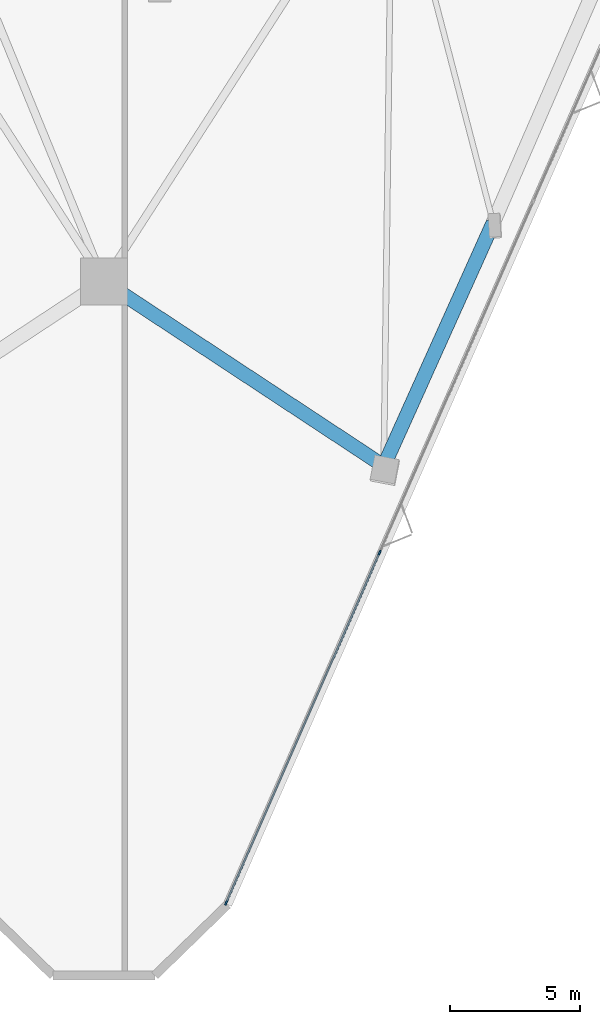
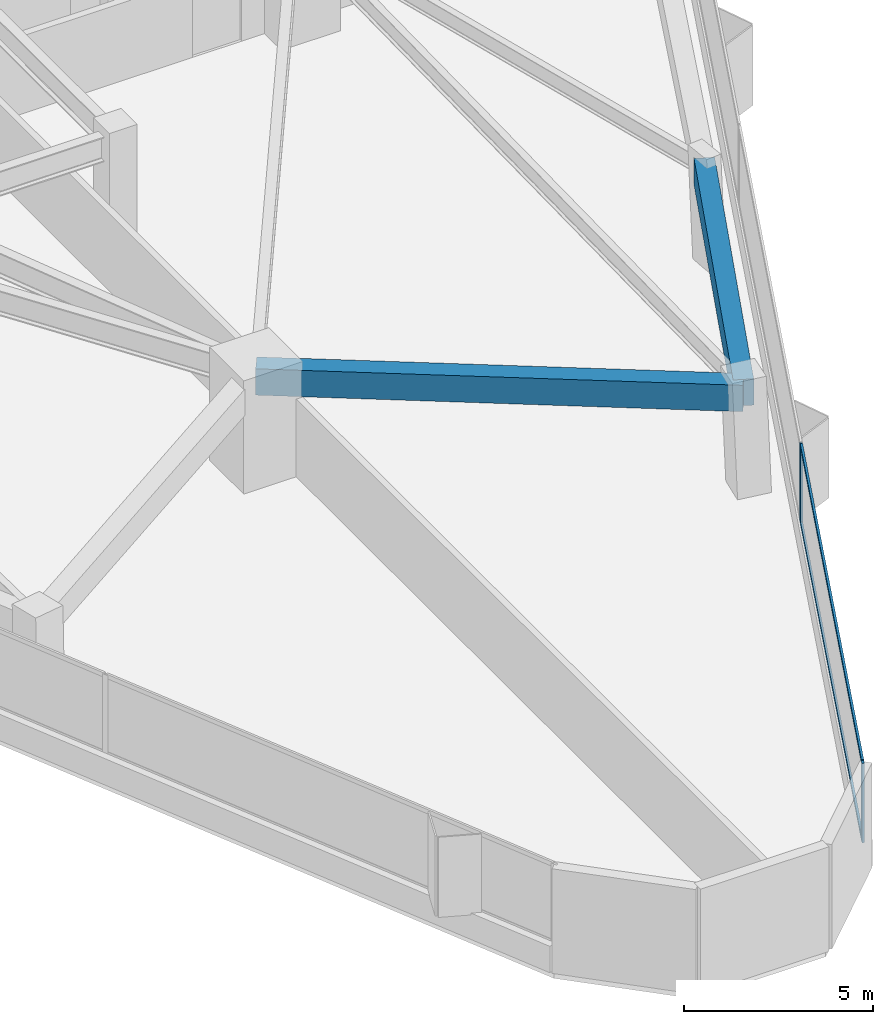
# One storey, part 4 of 20: 4 members, 2 beams, 1 element without a shape of its own.
"""IFC4 building model written with IfcOpenShell, lengths in metres."""

from ifc_helpers import new_model, si_unit, direction, frame, origin, origin_2d, place, context, subcontext, project, spatial, rectangle, extrude, material, layer, layer_set, material_profile, profile_set, type_object, element, aggregate, save


model = new_model("IFC4")

# Units and contexts
model_context = context("Model", 3, precision=1e-05, world=origin(), true_north=direction((0.0, 1.0)))
body_context = subcontext(model_context, "Body", "Model", "MODEL_VIEW")
ifc_project = project(units=[si_unit("LENGTHUNIT", "METRE"), si_unit("AREAUNIT", "SQUARE_METRE"), si_unit("VOLUMEUNIT", "CUBIC_METRE"), si_unit("PLANEANGLEUNIT", "RADIAN"), si_unit("MASSUNIT", "GRAM", prefix="KILO")], contexts=[model_context])

# Site, building, storey
site_placement = place(None, origin())
site = spatial("IfcSite", under=ifc_project, at=site_placement, CompositionType="ELEMENT")
building_placement = place(site_placement, origin())
building = spatial("IfcBuilding", under=site, at=building_placement, Name="Talyreon Biosciences Tower", CompositionType="ELEMENT")
storey_placement = place(building_placement, frame((0.0, 0.0, 26.449951171875)))
storey = spatial("IfcBuildingStorey", under=building, at=storey_placement, Name="L06", CompositionType="ELEMENT", Elevation=26.449951171875)

# Curtain wall, members
ifc_material_1 = material(Name="Thermally broken aluminium and low-E glazing", Category="aluminium")
ifc_layer = layer(ifc_material_1, 0.195068359375)
ifc_layer_set = layer_set([ifc_layer], Name="Thermally broken aluminium and low-E glazing")
curtain_wall_type = type_object("IfcCurtainWallType", Name="CurtainWall_Zone1WetLab", PredefinedType="NOTDEFINED", material=ifc_layer_set)
curtain_wall_placement = place(storey_placement, origin())
curtain_wall = element("IfcCurtainWall", 1, at=curtain_wall_placement, inside=storey, type_object=curtain_wall_type, Name="L06 Unitised Curtain Wall FCW-L06-08", PredefinedType="NOTDEFINED")
ifc_material_2 = material(Name="Anodised thermally broken aluminium", Category="aluminium")
ifc_material_profile_1 = material_profile(ifc_material_2, rectangle(XDim=0.06494140625, YDim=0.179931640625, at=origin_2d()), Name="ALUM MULLION 65x180")
ifc_profile_set_1 = profile_set([ifc_material_profile_1], Name="Anodised thermally broken aluminium")
member_type_1 = type_object("IfcMemberType", Name="CWMullion_65x180", PredefinedType="MULLION", material=ifc_profile_set_1)
member_1_placement = place(storey_placement, frame((76.61181640625, 31.237060546875, 0.81005859375), z_axis=(0.0, 0.0, 1.0), x_axis=(0.915926900592, -0.401345129249, 0.0)))
member_1 = element("IfcMember", 2, at=member_1_placement, type_object=member_type_1, Name="CW2 mullion 5", PredefinedType="MULLION", context=body_context, shape_type="SweptSolid", body=[
    extrude(rectangle(XDim=0.06494140625, YDim=0.179931640625, at=origin_2d()), origin(), (0.0, 0.0, 1.0), 2.56494140625),
])
member_2_placement = place(storey_placement, frame((70.70263671875, 17.751220703125, 0.81005859375), z_axis=(0.0, 0.0, 1.0), x_axis=(0.915926900592, -0.401345129249, 0.0)))
member_2 = element("IfcMember", 3, at=member_2_placement, type_object=member_type_1, Name="CW2 mullion 6", PredefinedType="MULLION", context=body_context, shape_type="SweptSolid", body=[
    extrude(rectangle(XDim=0.06494140625, YDim=0.179931640625, at=origin_2d()), origin(), (0.0, 0.0, 1.0), 2.56494140625),
])
ifc_material_profile_2 = material_profile(ifc_material_2, rectangle(XDim=0.06494140625, YDim=0.139892578125, at=origin_2d()), Name="ALUM TRANSOM 65x140")
ifc_profile_set_2 = profile_set([ifc_material_profile_2], Name="Anodised thermally broken aluminium")
member_type_2 = type_object("IfcMemberType", Name="CWTransom_65x140", PredefinedType="USERDEFINED", material=ifc_profile_set_2)
member_3_placement = place(storey_placement, frame((76.598876953125, 31.207275390625, 0.842529296875), z_axis=(-0.401351725582, -0.915924010152, 0.0), x_axis=(0.915924010152, -0.401351725582, 0.0)))
member_3 = element("IfcMember", 4, at=member_3_placement, type_object=member_type_2, Name="CW2 transom 5.1", ObjectType="TRANSOM", PredefinedType="USERDEFINED", context=body_context, shape_type="SweptSolid", body=[
    extrude(rectangle(XDim=0.06494140625, YDim=0.139892578125, at=origin_2d()), origin(), (0.0, 0.0, 1.0), 14.65869140625),
])
member_4_placement = place(storey_placement, frame((76.598876953125, 31.207275390625, 3.342529296875), z_axis=(-0.401351725582, -0.915924010152, 0.0), x_axis=(0.915924010152, -0.401351725582, 0.0)))
member_4 = element("IfcMember", 5, at=member_4_placement, type_object=member_type_2, Name="CW2 transom 5.2", ObjectType="TRANSOM", PredefinedType="USERDEFINED", context=body_context, shape_type="SweptSolid", body=[
    extrude(rectangle(XDim=0.06494140625, YDim=0.139892578125, at=origin_2d()), origin(), (0.0, 0.0, 1.0), 14.65869140625),
])
aggregate(curtain_wall, [member_1, member_2, member_3, member_4])

# Beams
ifc_material_3 = material(Name="Precast concrete C45/55", Category="concrete")
ifc_material_profile_3 = material_profile(ifc_material_3, rectangle(XDim=0.550048828125, YDim=0.85009765625, at=origin_2d()), Name="RCB 550x850")
ifc_profile_set_3 = profile_set([ifc_material_profile_3], Name="Precast concrete C45/55")
beam_type = type_object("IfcBeamType", Name="ExpressedSpandrel_550x850", PredefinedType="SPANDREL", material=ifc_profile_set_3)
beam_1_placement = place(storey_placement, frame((66.0, 41.6669921875, 2.949951171875), z_axis=(0.834973620359, -0.550289972019, 0.0), x_axis=(0.550289972019, 0.834973620359, 0.0)))
element("IfcBeam", 6, at=beam_1_placement, inside=storey, type_object=beam_type, Name="L06 Expressed Horizontal Concrete Spandrel 01", PredefinedType="SPANDREL", context=body_context, shape_type="SweptSolid", body=[
    extrude(rectangle(XDim=0.550048828125, YDim=0.85009765625, at=origin_2d()), origin(), (0.0, 0.0, 1.0), 12.89990234375),
])
beam_2_placement = place(storey_placement, frame((76.77099609375, 34.568359375, 2.949951171875), z_axis=(0.410221277799, 0.911986021406, 0.0), x_axis=(-0.911986021406, 0.410221277799, 0.0)))
element("IfcBeam", 7, at=beam_2_placement, inside=storey, type_object=beam_type, Name="L06 Expressed Horizontal Concrete Spandrel 02", PredefinedType="SPANDREL", context=body_context, shape_type="SweptSolid", body=[
    extrude(rectangle(XDim=0.550048828125, YDim=0.85009765625, at=origin_2d()), origin(), (0.0, 0.0, 1.0), 10.26513671875),
])

save(model, "model.ifc")
